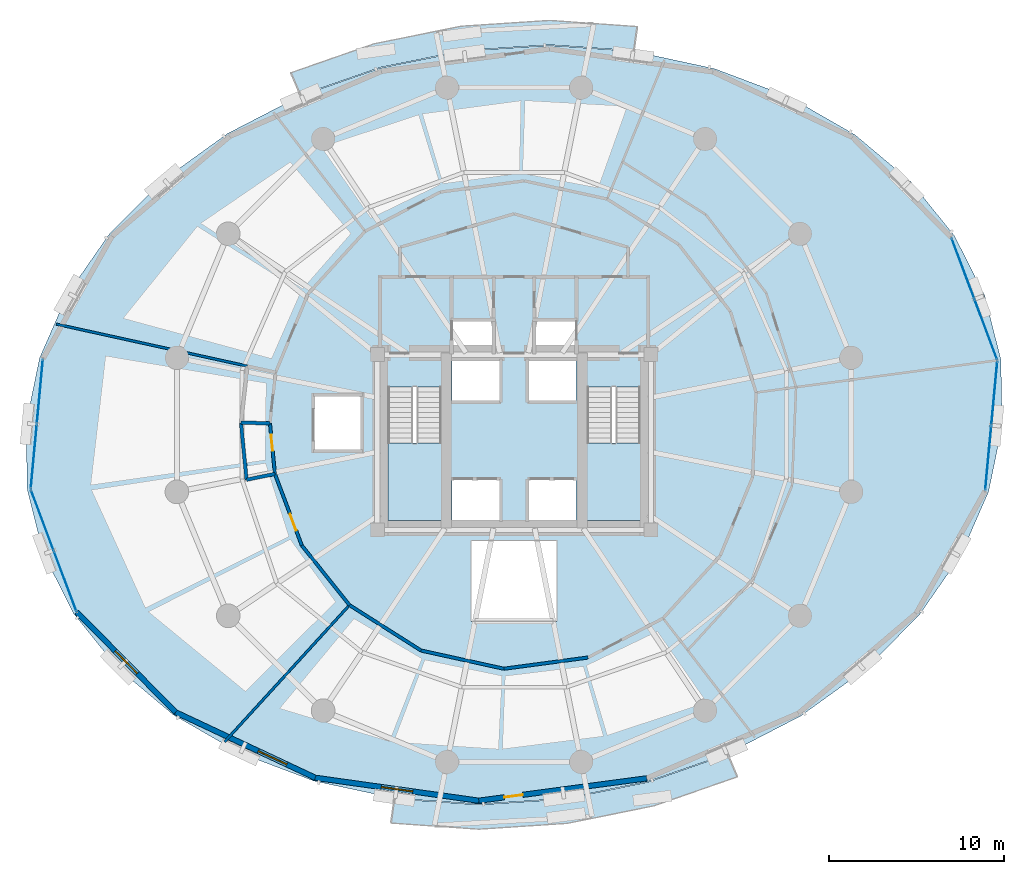
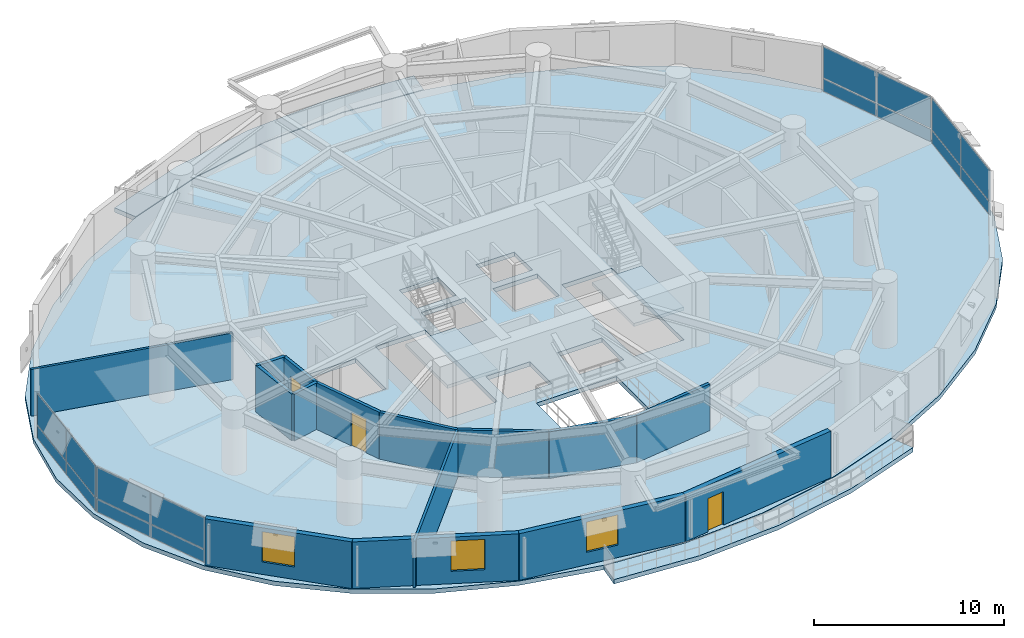
# One storey, part 11 of 17: 16 plates, 15 walls, 5 slabs, 3 doors, 3 windows, 6 openings, 6 elements without a shape of their own.
"""IFC4 building model written with IfcOpenShell, lengths in metres."""

from ifc_helpers import new_model, si_unit, direction, frame, frame_2d, origin, origin_2d, place, context, subcontext, project, spatial, polyline, rectangle, outline, extrude, material, layer, layer_set, type_object, element, fill, aggregate, save


model = new_model("IFC4")

# Units and contexts
model_context = context("Model", 3, precision=1e-05, world=origin(), true_north=direction((0.0, 1.0)))
body_context = subcontext(model_context, "Body", "Model", "MODEL_VIEW")
ifc_project = project(units=[si_unit("LENGTHUNIT", "METRE"), si_unit("AREAUNIT", "SQUARE_METRE"), si_unit("VOLUMEUNIT", "CUBIC_METRE"), si_unit("PLANEANGLEUNIT", "RADIAN"), si_unit("MASSUNIT", "GRAM", prefix="KILO"), si_unit("THERMODYNAMICTEMPERATUREUNIT", "KELVIN"), si_unit("POWERUNIT", "WATT")], contexts=[model_context])

# Site, building, storey
site_placement = place(None, origin())
site = spatial("IfcSite", under=ifc_project, at=site_placement, CompositionType="ELEMENT")
building_placement = place(site_placement, origin())
building = spatial("IfcBuilding", under=site, at=building_placement, Name="Ocrelia Relay Tower", CompositionType="ELEMENT")
storey_placement = place(building_placement, frame((0.0, 0.0, 63.60009765625)))
storey = spatial("IfcBuildingStorey", under=building, at=storey_placement, Name="L14", CompositionType="ELEMENT", Elevation=63.60009765625)

# Curtain wall, plates
ifc_material_1 = material(Name="Aluminium and solar-control low-E glass", Category="aluminium")
ifc_layer_1 = layer(ifc_material_1, 0.179931640625, Name="Aluminium and solar-control low-E glass")
ifc_layer_set_1 = layer_set([ifc_layer_1], Name="Aluminium and solar-control low-E glass")
curtain_wall_type = type_object("IfcCurtainWallType", Name="CW-SYS-Z1-DATA", PredefinedType="NOTDEFINED", material=ifc_layer_set_1)
curtain_wall_1_placement = place(storey_placement, origin())
curtain_wall_1 = element("IfcCurtainWall", 1, at=curtain_wall_1_placement, inside=storey, type_object=curtain_wall_type, Name="L14 Elliptical Tower Curtain Wall Bay 01", PredefinedType="NOTDEFINED")
ifc_material_2 = material(Name="Clear double-glazed low-E glass", Category="glass")
ifc_layer_2 = layer(ifc_material_2, 0.031982421875, Name="Clear double-glazed low-E glass")
ifc_layer_set_2 = layer_set([ifc_layer_2], Name="Clear double-glazed low-E glass")
plate_type = type_object("IfcPlateType", Name="CW-SYS-Z1-DATA-PNL", PredefinedType="CURTAIN_PANEL", material=ifc_layer_set_2)
plate_1_placement = place(storey_placement, frame((60.893310546875, 31.44287109375, 0.06494140625), z_axis=(0.0, 0.0, 1.0), x_axis=(-0.351189410055, 0.936304436743, 0.0)))
plate_1 = element("IfcPlate", 2, at=plate_1_placement, type_object=plate_type, Name="CW-Z1 panel 1.1", PredefinedType="CURTAIN_PANEL", context=body_context, shape_type="SweptSolid", body=[
    extrude(rectangle(XDim=3.6328125, YDim=0.031982421875, at=origin_2d()), origin(), (0.0, 0.0, 1.0), 0.802490234375),
])
plate_2_placement = place(storey_placement, frame((60.893310546875, 31.44287109375, 0.932373046875), z_axis=(0.0, 0.0, 1.0), x_axis=(-0.351189410055, 0.936304436743, 0.0)))
plate_2 = element("IfcPlate", 3, at=plate_2_placement, type_object=plate_type, Name="CW-Z1 panel 1.2", PredefinedType="CURTAIN_PANEL", context=body_context, shape_type="SweptSolid", body=[
    extrude(rectangle(XDim=3.6328125, YDim=0.031982421875, at=origin_2d()), origin(), (0.0, 0.0, 1.0), 2.00244140625),
])
plate_3_placement = place(storey_placement, frame((59.593017578125, 34.90966796875, 0.06494140625), z_axis=(0.0, 0.0, 1.0), x_axis=(-0.351189410055, 0.936304436743, 0.0)))
plate_3 = element("IfcPlate", 4, at=plate_3_placement, type_object=plate_type, Name="CW-Z1 panel 2.1", PredefinedType="CURTAIN_PANEL", context=body_context, shape_type="SweptSolid", body=[
    extrude(rectangle(XDim=3.6328125, YDim=0.031982421875, at=origin_2d()), origin(), (0.0, 0.0, 1.0), 0.802490234375),
])
plate_4_placement = place(storey_placement, frame((59.593017578125, 34.90966796875, 0.932373046875), z_axis=(0.0, 0.0, 1.0), x_axis=(-0.351189410055, 0.936304436743, 0.0)))
plate_4 = element("IfcPlate", 5, at=plate_4_placement, type_object=plate_type, Name="CW-Z1 panel 2.2", PredefinedType="CURTAIN_PANEL", context=body_context, shape_type="SweptSolid", body=[
    extrude(rectangle(XDim=3.6328125, YDim=0.031982421875, at=origin_2d()), origin(), (0.0, 0.0, 1.0), 2.00244140625),
])
aggregate(curtain_wall_1, [plate_1, plate_2, plate_3, plate_4])

curtain_wall_2_placement = place(storey_placement, origin())
curtain_wall_2 = element("IfcCurtainWall", 6, at=curtain_wall_2_placement, inside=storey, type_object=curtain_wall_type, Name="L14 Elliptical Tower Curtain Wall Bay 09", PredefinedType="NOTDEFINED")
plate_5_placement = place(storey_placement, frame((6.96630859375, 27.887939453125, 0.06494140625), z_axis=(0.0, 0.0, 1.0), x_axis=(-0.093413227811, -0.995627424728, 0.0)))
plate_5 = element("IfcPlate", 7, at=plate_5_placement, type_object=plate_type, Name="CW-Z1 panel 1.1", PredefinedType="CURTAIN_PANEL", context=body_context, shape_type="SweptSolid", body=[
    extrude(rectangle(XDim=3.6328125, YDim=0.031982421875, at=origin_2d()), origin(), (0.0, 0.0, 1.0), 0.802490234375),
])
plate_6_placement = place(storey_placement, frame((6.96630859375, 27.887939453125, 0.932373046875), z_axis=(0.0, 0.0, 1.0), x_axis=(-0.093413227811, -0.995627424728, 0.0)))
plate_6 = element("IfcPlate", 8, at=plate_6_placement, type_object=plate_type, Name="CW-Z1 panel 1.2", PredefinedType="CURTAIN_PANEL", context=body_context, shape_type="SweptSolid", body=[
    extrude(rectangle(XDim=3.6328125, YDim=0.031982421875, at=origin_2d()), origin(), (0.0, 0.0, 1.0), 2.00244140625),
])
plate_7_placement = place(storey_placement, frame((6.620361328125, 24.201416015625, 0.06494140625), z_axis=(0.0, 0.0, 1.0), x_axis=(-0.093413227811, -0.995627424728, 0.0)))
plate_7 = element("IfcPlate", 9, at=plate_7_placement, type_object=plate_type, Name="CW-Z1 panel 2.1", PredefinedType="CURTAIN_PANEL", context=body_context, shape_type="SweptSolid", body=[
    extrude(rectangle(XDim=3.6328125, YDim=0.031982421875, at=origin_2d()), origin(), (0.0, 0.0, 1.0), 0.802490234375),
])
plate_8_placement = place(storey_placement, frame((6.620361328125, 24.201416015625, 0.932373046875), z_axis=(0.0, 0.0, 1.0), x_axis=(-0.093413227811, -0.995627424728, 0.0)))
plate_8 = element("IfcPlate", 10, at=plate_8_placement, type_object=plate_type, Name="CW-Z1 panel 2.2", PredefinedType="CURTAIN_PANEL", context=body_context, shape_type="SweptSolid", body=[
    extrude(rectangle(XDim=3.6328125, YDim=0.031982421875, at=origin_2d()), origin(), (0.0, 0.0, 1.0), 2.00244140625),
])
aggregate(curtain_wall_2, [plate_5, plate_6, plate_7, plate_8])

curtain_wall_3_placement = place(storey_placement, origin())
curtain_wall_3 = element("IfcCurtainWall", 11, at=curtain_wall_3_placement, inside=storey, type_object=curtain_wall_type, Name="L14 Elliptical Tower Curtain Wall Bay 10", PredefinedType="NOTDEFINED")
plate_9_placement = place(storey_placement, frame((7.106689453125, 20.55712890625, 0.06494140625), z_axis=(0.0, 0.0, 1.0), x_axis=(0.351189410055, -0.936304436743, 0.0)))
plate_9 = element("IfcPlate", 12, at=plate_9_placement, type_object=plate_type, Name="CW-Z1 panel 1.1", PredefinedType="CURTAIN_PANEL", context=body_context, shape_type="SweptSolid", body=[
    extrude(rectangle(XDim=3.6328125, YDim=0.031982421875, at=origin_2d()), origin(), (0.0, 0.0, 1.0), 0.802490234375),
])
plate_10_placement = place(storey_placement, frame((7.106689453125, 20.55712890625, 0.932373046875), z_axis=(0.0, 0.0, 1.0), x_axis=(0.351189410055, -0.936304436743, 0.0)))
plate_10 = element("IfcPlate", 13, at=plate_10_placement, type_object=plate_type, Name="CW-Z1 panel 1.2", PredefinedType="CURTAIN_PANEL", context=body_context, shape_type="SweptSolid", body=[
    extrude(rectangle(XDim=3.6328125, YDim=0.031982421875, at=origin_2d()), origin(), (0.0, 0.0, 1.0), 2.00244140625),
])
plate_11_placement = place(storey_placement, frame((8.406982421875, 17.09033203125, 0.06494140625), z_axis=(0.0, 0.0, 1.0), x_axis=(0.351189410055, -0.936304436743, 0.0)))
plate_11 = element("IfcPlate", 14, at=plate_11_placement, type_object=plate_type, Name="CW-Z1 panel 2.1", PredefinedType="CURTAIN_PANEL", context=body_context, shape_type="SweptSolid", body=[
    extrude(rectangle(XDim=3.6328125, YDim=0.031982421875, at=origin_2d()), origin(), (0.0, 0.0, 1.0), 0.802490234375),
])
plate_12_placement = place(storey_placement, frame((8.406982421875, 17.09033203125, 0.932373046875), z_axis=(0.0, 0.0, 1.0), x_axis=(0.351189410055, -0.936304436743, 0.0)))
plate_12 = element("IfcPlate", 15, at=plate_12_placement, type_object=plate_type, Name="CW-Z1 panel 2.2", PredefinedType="CURTAIN_PANEL", context=body_context, shape_type="SweptSolid", body=[
    extrude(rectangle(XDim=3.6328125, YDim=0.031982421875, at=origin_2d()), origin(), (0.0, 0.0, 1.0), 2.00244140625),
])
aggregate(curtain_wall_3, [plate_9, plate_10, plate_11, plate_12])

curtain_wall_4_placement = place(storey_placement, origin())
curtain_wall_4 = element("IfcCurtainWall", 16, at=curtain_wall_4_placement, inside=storey, type_object=curtain_wall_type, Name="L14 Elliptical Tower Curtain Wall Bay 18", PredefinedType="NOTDEFINED")
plate_13_placement = place(storey_placement, frame((61.03369140625, 24.112060546875, 0.06494140625), z_axis=(0.0, 0.0, 1.0), x_axis=(0.093413227811, 0.995627424728, 0.0)))
plate_13 = element("IfcPlate", 17, at=plate_13_placement, type_object=plate_type, Name="CW-Z1 panel 1.1", PredefinedType="CURTAIN_PANEL", context=body_context, shape_type="SweptSolid", body=[
    extrude(rectangle(XDim=3.6328125, YDim=0.031982421875, at=origin_2d()), origin(), (0.0, 0.0, 1.0), 0.802490234375),
])
plate_14_placement = place(storey_placement, frame((61.03369140625, 24.112060546875, 0.932373046875), z_axis=(0.0, 0.0, 1.0), x_axis=(0.093413227811, 0.995627424728, 0.0)))
plate_14 = element("IfcPlate", 18, at=plate_14_placement, type_object=plate_type, Name="CW-Z1 panel 1.2", PredefinedType="CURTAIN_PANEL", context=body_context, shape_type="SweptSolid", body=[
    extrude(rectangle(XDim=3.6328125, YDim=0.031982421875, at=origin_2d()), origin(), (0.0, 0.0, 1.0), 2.00244140625),
])
plate_15_placement = place(storey_placement, frame((61.379638671875, 27.798583984375, 0.06494140625), z_axis=(0.0, 0.0, 1.0), x_axis=(0.093413227811, 0.995627424728, 0.0)))
plate_15 = element("IfcPlate", 19, at=plate_15_placement, type_object=plate_type, Name="CW-Z1 panel 2.1", PredefinedType="CURTAIN_PANEL", context=body_context, shape_type="SweptSolid", body=[
    extrude(rectangle(XDim=3.6328125, YDim=0.031982421875, at=origin_2d()), origin(), (0.0, 0.0, 1.0), 0.802490234375),
])
plate_16_placement = place(storey_placement, frame((61.379638671875, 27.798583984375, 0.932373046875), z_axis=(0.0, 0.0, 1.0), x_axis=(0.093413227811, 0.995627424728, 0.0)))
plate_16 = element("IfcPlate", 20, at=plate_16_placement, type_object=plate_type, Name="CW-Z1 panel 2.2", PredefinedType="CURTAIN_PANEL", context=body_context, shape_type="SweptSolid", body=[
    extrude(rectangle(XDim=3.6328125, YDim=0.031982421875, at=origin_2d()), origin(), (0.0, 0.0, 1.0), 2.00244140625),
])
aggregate(curtain_wall_4, [plate_13, plate_14, plate_15, plate_16])

# Slabs
ifc_material_3 = material(Name="Precast concrete C40/50", Category="concrete")
ifc_layer_3 = layer(ifc_material_3, 0.280029296875, Name="Precast concrete C40/50")
ifc_layer_set_3 = layer_set([ifc_layer_3], Name="Precast concrete C40/50")
slab_type_1 = type_object("IfcSlabType", Name="SL-BALC-280", PredefinedType="FLOOR", material=ifc_layer_set_3)
slab_1_placement = place(storey_placement, frame((0.0, 0.0, -0.280029296875)))
element("IfcSlab", 21, at=slab_1_placement, inside=storey, type_object=slab_type_1, Name="L14 Planted Loggia Balcony B1", PredefinedType="FLOOR", context=body_context, shape_type="SweptSolid", body=[
    extrude(outline(polyline([(40.82470703125, 47.322265625), (38.421875, 47.491455078125), (36.019287109375, 47.660400390625), (31.152587890625, 47.3408203125), (26.372314453125, 46.373291015625), (24.097900390625, 45.580078125), (21.823486328125, 44.787109375), (21.273193359375, 46.067138671875), (23.638427734375, 46.89208984375), (26.00390625, 47.716796875), (30.96826171875, 48.7216796875), (36.0224609375, 49.0537109375), (38.521240234375, 48.877685546875), (41.02001953125, 48.701904296875), (40.82470703125, 47.322265625)])), origin(), (0.0, 0.0, 1.0), 0.280029296875),
])
slab_2_placement = place(storey_placement, frame((0.0, 0.0, -0.280029296875)))
element("IfcSlab", 22, at=slab_2_placement, inside=storey, type_object=slab_type_1, Name="L14 Planted Loggia Balcony B2", PredefinedType="FLOOR", context=body_context, shape_type="SweptSolid", body=[
    extrude(outline(polyline([(27.17529296875, 4.677734375), (29.578125, 4.508544921875), (31.980712890625, 4.339599609375), (36.847412109375, 4.6591796875), (41.627685546875, 5.626708984375), (43.902099609375, 6.419921875), (46.176513671875, 7.212890625), (46.726806640625, 5.932861328125), (44.361572265625, 5.10791015625), (41.99609375, 4.283203125), (37.03173828125, 3.2783203125), (31.9775390625, 2.9462890625), (29.478759765625, 3.1220703125), (26.97998046875, 3.298095703125), (27.17529296875, 4.677734375)])), origin(), (0.0, 0.0, 1.0), 0.280029296875),
])
ifc_material_4 = material(Name="Concrete C50/60", Category="concrete")
ifc_layer_4 = layer(ifc_material_4, 0.280029296875, Name="Concrete C50/60")
ifc_layer_set_4 = layer_set([ifc_layer_4], Name="Concrete C50/60")
slab_type_2 = type_object("IfcSlabType", Name="SL-FLR-280", PredefinedType="FLOOR", material=ifc_layer_set_4)
slab_3_placement = place(storey_placement, frame((0.0, 0.0, -0.280029296875)))
element("IfcSlab", 23, at=slab_3_placement, inside=storey, type_object=slab_type_2, Name="L14 Elliptical Tower Floor Slab", PredefinedType="FLOOR", context=body_context, shape_type="SweptSolid", body=[
    extrude(outline(polyline([(61.75390625, 29.703125), (60.838623046875, 33.34765625), (59.107666015625, 36.768798828125), (56.614013671875, 39.862548828125), (53.43310546875, 42.535400390625), (49.66162109375, 44.70556640625), (45.41455078125, 46.3076171875), (40.8203125, 47.29248046875), (36.01904296875, 47.63037109375), (31.156494140625, 47.31103515625), (26.380126953125, 46.34423828125), (21.83544921875, 44.759521484375), (17.660400390625, 42.6044921875), (13.981689453125, 39.94482421875), (10.911376953125, 36.86181640625), (8.54248046875, 33.448486328125), (6.947265625, 29.80908203125), (6.173828125, 26.0537109375), (6.24609375, 22.296875), (7.161376953125, 18.65234375), (8.892333984375, 15.231201171875), (11.385986328125, 12.137451171875), (14.56689453125, 9.464599609375), (18.33837890625, 7.29443359375), (22.58544921875, 5.6923828125), (27.1796875, 4.70751953125), (31.98095703125, 4.36962890625), (36.843505859375, 4.68896484375), (41.619873046875, 5.65576171875), (46.16455078125, 7.240478515625), (50.339599609375, 9.3955078125), (54.018310546875, 12.05517578125), (57.088623046875, 15.13818359375), (59.45751953125, 18.551513671875), (61.052734375, 22.19091796875), (61.826171875, 25.9462890625), (61.75390625, 29.703125)]), holes=[polyline([(26.81005859375, 28.14990234375), (26.81005859375, 20.550048828125), (29.85009765625, 20.550048828125), (29.85009765625, 28.14990234375), (26.81005859375, 28.14990234375)]), polyline([(38.159912109375, 28.14990234375), (38.159912109375, 20.550048828125), (41.199951171875, 20.550048828125), (41.199951171875, 28.14990234375), (38.159912109375, 28.14990234375)]), polyline([(30.4599609375, 20.550048828125), (33.159912109375, 20.550048828125), (33.159912109375, 22.85009765625), (30.4599609375, 22.85009765625), (30.4599609375, 20.550048828125)]), polyline([(34.840087890625, 20.550048828125), (37.5400390625, 20.550048828125), (37.5400390625, 22.85009765625), (34.840087890625, 22.85009765625), (34.840087890625, 20.550048828125)]), polyline([(30.4599609375, 27.35009765625), (33.159912109375, 27.35009765625), (33.159912109375, 29.64990234375), (30.4599609375, 29.64990234375), (30.4599609375, 27.35009765625)]), polyline([(34.840087890625, 27.35009765625), (37.5400390625, 27.35009765625), (37.5400390625, 29.64990234375), (34.840087890625, 29.64990234375), (34.840087890625, 27.35009765625)]), polyline([(30.5, 30.10009765625), (32.85009765625, 30.10009765625), (32.85009765625, 32.0), (30.5, 32.0), (30.5, 30.10009765625)]), polyline([(35.14990234375, 30.10009765625), (37.5, 30.10009765625), (37.5, 32.0), (35.14990234375, 32.0), (35.14990234375, 30.10009765625)]), polyline([(22.550048828125, 24.5), (25.35009765625, 24.5), (25.35009765625, 27.699951171875), (22.550048828125, 27.699951171875), (22.550048828125, 24.5)]), polyline([(31.550048828125, 14.800048828125), (36.449951171875, 14.800048828125), (36.449951171875, 19.39990234375), (31.550048828125, 19.39990234375), (31.550048828125, 14.800048828125)])]), origin(), (0.0, 0.0, 1.0), 0.280029296875),
])

# Stair, slab
stair_type = type_object("IfcStairType", Name="ST-DL-1420-R175", PredefinedType="HALF_TURN_STAIR", material=ifc_material_4)
stair_1_placement = place(storey_placement, origin())
stair_1 = element("IfcStair", 24, at=stair_1_placement, inside=storey, type_object=stair_type, Name="L14 West Core Exit Stair ST1", PredefinedType="HALF_TURN_STAIR")
ifc_layer_5 = layer(ifc_material_4, 0.199951171875, Name="Concrete C50/60")
ifc_layer_set_5 = layer_set([ifc_layer_5], Name="Concrete C50/60")
slab_type_3 = type_object("IfcSlabType", Name="SL-LANDING-200", PredefinedType="LANDING", material=ifc_layer_set_5)
slab_4_placement = place(storey_placement, frame((0.0, 0.0, 1.89990234375)))
slab_4 = element("IfcSlab", 25, at=slab_4_placement, type_object=slab_type_3, Name="ST1 landing 1", PredefinedType="LANDING", context=body_context, shape_type="SweptSolid", body=[
    extrude(outline(polyline([(26.81005859375, 24.9599609375), (26.81005859375, 20.550048828125), (29.85009765625, 20.550048828125), (29.85009765625, 24.9599609375), (26.81005859375, 24.9599609375)])), origin(), (0.0, 0.0, 1.0), 0.199951171875),
])
aggregate(stair_1, [slab_4])

stair_2_placement = place(storey_placement, origin())
stair_2 = element("IfcStair", 26, at=stair_2_placement, inside=storey, type_object=stair_type, Name="L14 East Core Exit Stair ST2", PredefinedType="HALF_TURN_STAIR")
slab_5_placement = place(storey_placement, frame((0.0, 0.0, 1.89990234375)))
slab_5 = element("IfcSlab", 27, at=slab_5_placement, type_object=slab_type_3, Name="ST2 landing 1", PredefinedType="LANDING", context=body_context, shape_type="SweptSolid", body=[
    extrude(outline(polyline([(38.159912109375, 24.9599609375), (38.159912109375, 20.550048828125), (41.199951171875, 20.550048828125), (41.199951171875, 24.9599609375), (38.159912109375, 24.9599609375)])), origin(), (0.0, 0.0, 1.0), 0.199951171875),
])
aggregate(stair_2, [slab_5])

# Wall, opening, door
ifc_material_5 = material(Name="Gypsum Fireboard Partition EI60", Category="gypsum")
ifc_layer_6 = layer(ifc_material_5, 0.179931640625, Name="Gypsum Fireboard Partition EI60")
ifc_layer_set_6 = layer_set([ifc_layer_6], Name="Gypsum Fireboard Partition EI60")
wall_type_1 = type_object("IfcWallType", Name="W-CORR-EI60-180", PredefinedType="PARTITIONING", material=ifc_layer_set_6)
wall_1_placement = place(storey_placement, frame((20.080322265625, 26.09716796875, 0.0), z_axis=(0.0, 0.0, 1.0), x_axis=(0.09756816541, -0.995228844587, 0.0)))
wall_1 = element("IfcWall", 28, at=wall_1_placement, inside=storey, type_object=wall_type_1, Name="L14 Accessible Toilet Corridor Wall", PredefinedType="PARTITIONING", context=body_context, shape_type="SweptSolid", body=[
    extrude(rectangle(XDim=2.91015625, YDim=0.179931640625, at=frame_2d((1.455078125, 0.0))), origin(), (0.0, 0.0, 1.0), 3.0),
])
opening_1_placement = place(wall_1_placement, frame((0.6689453125, 0.0, 0.0)))
opening_1 = element("IfcOpeningElement", 29, at=opening_1_placement, cuts=wall_1, Name="Opening D-WC92", PredefinedType="OPENING", context=body_context, shape_type="SweptSolid", body=[
    extrude(rectangle(XDim=0.919921875, YDim=2.10009765625, at=frame_2d((0.4599609375, 1.050048828125))), frame((0.0, 0.10009765625, 0.0), z_axis=(0.0, -1.0, 0.0), x_axis=(1.0, 0.0, 0.0)), (0.0, 0.0, 1.0), 0.199951171875),
])
ifc_material_6 = material(Name="Laminate washroom door", Category="wood")
door_type_1 = type_object("IfcDoorType", Name="DR-WC-920", OperationType="NOTDEFINED", PredefinedType="DOOR", material=ifc_material_6)
door_1_placement = place(opening_1_placement, origin())
door_1 = element("IfcDoor", 30, at=door_1_placement, inside=storey, type_object=door_type_1, Name="L14 Accessible Toilet Door", OperationType="SINGLE_SWING_LEFT", OverallHeight=2.10009765625, OverallWidth=0.919921875, PredefinedType="DOOR", context=body_context, shape_type="SweptSolid", body=[
    extrude(rectangle(XDim=0.919921875, YDim=2.10009765625, at=frame_2d((0.4599609375, 1.050048828125))), frame((0.0, 0.02490234375, 0.0), z_axis=(0.0, -1.0, 0.0), x_axis=(1.0, 0.0, 0.0)), (0.0, 0.0, 1.0), 0.050048828125),
])
fill(opening_1, door_1)

wall_2_placement = place(storey_placement, frame((20.3642578125, 23.200927734375, 0.0), z_axis=(0.0, 0.0, 1.0), x_axis=(0.351823691742, -0.936066285008, 0.0)))
wall_2 = element("IfcWall", 31, at=wall_2_placement, inside=storey, type_object=wall_type_1, Name="L14 Technical Reference Library Corridor Partition 1", PredefinedType="PARTITIONING", context=body_context, shape_type="SweptSolid", body=[
    extrude(rectangle(XDim=4.35498046875, YDim=0.179931640625, at=frame_2d((2.177490234375, 0.0))), origin(), (0.0, 0.0, 1.0), 3.0),
])
opening_2_placement = place(wall_2_placement, frame((2.44140625, 0.0, 0.0)))
opening_2 = element("IfcOpeningElement", 32, at=opening_2_placement, cuts=wall_2, Name="Opening D-RM100", PredefinedType="OPENING", context=body_context, shape_type="SweptSolid", body=[
    extrude(rectangle(XDim=1.0, YDim=2.14990234375, at=frame_2d((0.5, 1.074951171875))), frame((0.0, 0.10009765625, 0.0), z_axis=(0.0, -1.0, 0.0), x_axis=(1.0, 0.0, 0.0)), (0.0, 0.0, 1.0), 0.199951171875),
])
ifc_material_7 = material(Name="Acoustic oak veneer fire door", Category="wood")
door_type_2 = type_object("IfcDoorType", Name="DR-ROOM-FD60-1000", OperationType="NOTDEFINED", PredefinedType="DOOR", material=ifc_material_7)
door_2_placement = place(opening_2_placement, origin())
door_2 = element("IfcDoor", 33, at=door_2_placement, inside=storey, type_object=door_type_2, Name="L14 Technical Reference Library Entrance Door", OperationType="SINGLE_SWING_RIGHT", OverallHeight=2.14990234375, OverallWidth=1.0, PredefinedType="DOOR", context=body_context, shape_type="SweptSolid", body=[
    extrude(rectangle(XDim=1.0, YDim=2.14990234375, at=frame_2d((0.5, 1.074951171875))), frame((0.0, 0.02490234375, 0.0), z_axis=(0.0, -1.0, 0.0), x_axis=(1.0, 0.0, 0.0)), (0.0, 0.0, 1.0), 0.050048828125),
])
fill(opening_2, door_2)

# Walls
wall_3_placement = place(storey_placement, frame((21.896484375, 19.124267578125, 0.0), z_axis=(0.0, 0.0, 1.0), x_axis=(0.623915406168, -0.781491884761, 0.0)))
element("IfcWall", 34, at=wall_3_placement, inside=storey, type_object=wall_type_1, Name="L14 Technical Reference Library Corridor Partition 2", PredefinedType="PARTITIONING", context=body_context, shape_type="SweptSolid", body=[
    extrude(rectangle(XDim=4.355224609375, YDim=0.179931640625, at=frame_2d((2.177734375, 0.0))), origin(), (0.0, 0.0, 1.0), 3.0),
])
for number, where, z_axis, x_axis, name in (
    (35, (24.61376953125, 15.720703125, 0.0), (0.0, 0.0, 1.0), (0.844332495787, -0.535819593295, 0.0), "L14 Colocation Data Hall A Corridor Partition 1"),
    (36, (28.695556640625, 13.13037109375, 0.0), (0.0, 0.0, 1.0), (0.97667180078, -0.214737499194, 0.0), "L14 Colocation Data Hall A Corridor Partition 2"),
):
    element("IfcWall", number, at=place(storey_placement, frame(where, z_axis=z_axis, x_axis=x_axis)), inside=storey, type_object=wall_type_1, Name=name, PredefinedType="PARTITIONING", context=body_context, shape_type="SweptSolid", body=[
        extrude(rectangle(XDim=4.834228515625, YDim=0.179931640625, at=frame_2d((2.4169921875, 0.0))), origin(), (0.0, 0.0, 1.0), 3.0),
    ])
wall_4_placement = place(storey_placement, frame((33.4169921875, 12.09228515625, 0.0), z_axis=(0.0, 0.0, 1.0), x_axis=(0.991215105634, 0.132259647527, 0.0)))
element("IfcWall", 37, at=wall_4_placement, inside=storey, type_object=wall_type_1, Name="L14 Colocation Data Hall A Corridor Partition 3", PredefinedType="PARTITIONING", context=body_context, shape_type="SweptSolid", body=[
    extrude(rectangle(XDim=4.83447265625, YDim=0.179931640625, at=frame_2d((2.417236328125, 0.0))), origin(), (0.0, 0.0, 1.0), 3.0),
])

# Wall, opening, window
ifc_material_8 = material(Name="Precast concrete C40/50 with oxide terracotta", Category="masonry")
ifc_layer_7 = layer(ifc_material_8, 0.300048828125, Name="Precast concrete C40/50 with oxide terracotta")
ifc_layer_set_7 = layer_set([ifc_layer_7], Name="Precast concrete C40/50 with oxide terracotta")
wall_type_2 = type_object("IfcWallType", Name="W-EXT-TERR-300", PredefinedType="SOLIDWALL", material=ifc_layer_set_7)
wall_5_placement = place(storey_placement, frame((9.069580078125, 15.323974609375, 0.0), z_axis=(0.0, 0.0, 1.0), x_axis=(0.702143738973, -0.712035230744, 0.0)))
wall_5 = element("IfcWall", 38, at=wall_5_placement, inside=storey, type_object=wall_type_2, Name="L14 Oxide Terracotta Facade Wall 11", PredefinedType="SOLIDWALL", context=body_context, shape_type="SweptSolid", body=[
    extrude(rectangle(XDim=8.021728515625, YDim=0.300048828125, at=frame_2d((4.0107421875, 0.0))), origin(), (0.0, 0.0, 1.0), 3.0),
])
opening_3_placement = place(wall_5_placement, frame((3.111083984375, 0.0, 0.800048828125)))
opening_3 = element("IfcOpeningElement", 39, at=opening_3_placement, cuts=wall_5, Name="Opening W-02", PredefinedType="OPENING", context=body_context, shape_type="SweptSolid", body=[
    extrude(rectangle(XDim=1.800048828125, YDim=1.949951171875, at=frame_2d((0.89990234375, 0.97509765625))), frame((0.0, 0.16015625, 0.0), z_axis=(0.0, -1.0, 0.0), x_axis=(1.0, 0.0, 0.0)), (0.0, 0.0, 1.0), 0.320068359375),
])
window_type = type_object("IfcWindowType", Name="WIN-Z1-1800x2100", PartitioningType="DOUBLE_PANEL_VERTICAL", PredefinedType="WINDOW", material=ifc_material_2)
window_1_placement = place(opening_3_placement, origin())
window_1 = element("IfcWindow", 40, at=window_1_placement, inside=storey, type_object=window_type, Name="L14 Facade Module Window 11", OverallHeight=1.949951171875, OverallWidth=1.800048828125, PartitioningType="SINGLE_PANEL", PredefinedType="WINDOW", context=body_context, shape_type="SweptSolid", body=[
    extrude(rectangle(XDim=1.800048828125, YDim=1.949951171875, at=frame_2d((0.89990234375, 0.97509765625))), frame((0.0, 0.030029296875, 0.0), z_axis=(0.0, -1.0, 0.0), x_axis=(1.0, 0.0, 0.0)), (0.0, 0.0, 1.0), 0.06005859375),
])
fill(opening_3, window_1)

wall_6_placement = place(storey_placement, frame((14.701904296875, 9.6123046875, 0.0), z_axis=(0.0, 0.0, 1.0), x_axis=(0.905289465516, -0.424795225522, 0.0)))
wall_6 = element("IfcWall", 41, at=wall_6_placement, inside=storey, type_object=wall_type_2, Name="L14 Oxide Terracotta Facade Wall 12", PredefinedType="SOLIDWALL", context=body_context, shape_type="SweptSolid", body=[
    extrude(rectangle(XDim=8.792724609375, YDim=0.300048828125, at=frame_2d((4.396484375, 0.0))), origin(), (0.0, 0.0, 1.0), 3.0),
])
opening_4_placement = place(wall_6_placement, frame((5.201904296875, 0.0, 0.800048828125)))
opening_4 = element("IfcOpeningElement", 42, at=opening_4_placement, cuts=wall_6, Name="Opening W-02", PredefinedType="OPENING", context=body_context, shape_type="SweptSolid", body=[
    extrude(rectangle(XDim=1.800048828125, YDim=1.949951171875, at=frame_2d((0.89990234375, 0.97509765625))), frame((0.0, 0.16015625, 0.0), z_axis=(0.0, -1.0, 0.0), x_axis=(1.0, 0.0, 0.0)), (0.0, 0.0, 1.0), 0.320068359375),
])
window_2_placement = place(opening_4_placement, origin())
window_2 = element("IfcWindow", 43, at=window_2_placement, inside=storey, type_object=window_type, Name="L14 Facade Module Window 12", OverallHeight=1.949951171875, OverallWidth=1.800048828125, PartitioningType="SINGLE_PANEL", PredefinedType="WINDOW", context=body_context, shape_type="SweptSolid", body=[
    extrude(rectangle(XDim=1.800048828125, YDim=1.949951171875, at=frame_2d((0.89990234375, 0.97509765625))), frame((0.0, 0.030029296875, 0.0), z_axis=(0.0, -1.0, 0.0), x_axis=(1.0, 0.0, 0.0)), (0.0, 0.0, 1.0), 0.06005859375),
])
fill(opening_4, window_2)

wall_7_placement = place(storey_placement, frame((22.661865234375, 5.877197265625, 0.0), z_axis=(0.0, 0.0, 1.0), x_axis=(0.990312182989, -0.138858850001, 0.0)))
wall_7 = element("IfcWall", 44, at=wall_7_placement, inside=storey, type_object=wall_type_2, Name="L14 Oxide Terracotta Facade Wall 13", PredefinedType="SOLIDWALL", context=body_context, shape_type="SweptSolid", body=[
    extrude(rectangle(XDim=9.418701171875, YDim=0.300048828125, at=frame_2d((4.70947265625, 0.0))), origin(), (0.0, 0.0, 1.0), 3.0),
])
opening_5_placement = place(wall_7_placement, frame((3.80908203125, 0.0, 0.800048828125)))
opening_5 = element("IfcOpeningElement", 45, at=opening_5_placement, cuts=wall_7, Name="Opening W-02", PredefinedType="OPENING", context=body_context, shape_type="SweptSolid", body=[
    extrude(rectangle(XDim=1.800048828125, YDim=1.949951171875, at=frame_2d((0.89990234375, 0.97509765625))), frame((0.0, 0.16015625, 0.0), z_axis=(0.0, -1.0, 0.0), x_axis=(1.0, 0.0, 0.0)), (0.0, 0.0, 1.0), 0.320068359375),
])
window_3_placement = place(opening_5_placement, origin())
window_3 = element("IfcWindow", 46, at=window_3_placement, inside=storey, type_object=window_type, Name="L14 Facade Module Window 13", OverallHeight=1.949951171875, OverallWidth=1.800048828125, PartitioningType="SINGLE_PANEL", PredefinedType="WINDOW", context=body_context, shape_type="SweptSolid", body=[
    extrude(rectangle(XDim=1.800048828125, YDim=1.949951171875, at=frame_2d((0.89990234375, 0.97509765625))), frame((0.0, 0.030029296875, 0.0), z_axis=(0.0, -1.0, 0.0), x_axis=(1.0, 0.0, 0.0)), (0.0, 0.0, 1.0), 0.06005859375),
])
fill(opening_5, window_3)

# Wall, opening, door
wall_8_placement = place(storey_placement, frame((31.9892578125, 4.5693359375, 0.0), z_axis=(0.0, 0.0, 1.0), x_axis=(0.991216412989, 0.132249849229, 0.0)))
wall_8 = element("IfcWall", 47, at=wall_8_placement, inside=storey, type_object=wall_type_2, Name="L14 Oxide Terracotta Facade Wall 14", PredefinedType="SOLIDWALL", context=body_context, shape_type="SweptSolid", body=[
    extrude(rectangle(XDim=9.65478515625, YDim=0.300048828125, at=frame_2d((4.827392578125, 0.0))), origin(), (0.0, 0.0, 1.0), 3.0),
])
opening_6_placement = place(wall_8_placement, frame((1.469970703125, 0.0, 0.0)))
opening_6 = element("IfcOpeningElement", 48, at=opening_6_placement, cuts=wall_8, Name="Opening DB-105", PredefinedType="OPENING", context=body_context, shape_type="SweptSolid", body=[
    extrude(rectangle(XDim=1.050048828125, YDim=2.14990234375, at=frame_2d((0.52490234375, 1.074951171875))), frame((0.0, 0.16015625, 0.0), z_axis=(0.0, -1.0, 0.0), x_axis=(1.0, 0.0, 0.0)), (0.0, 0.0, 1.0), 0.320068359375),
])
ifc_material_9 = material(Name="Thermally broken aluminium and clear glass", Category="aluminium")
door_type_3 = type_object("IfcDoorType", Name="DR-BALC-1050", OperationType="NOTDEFINED", PredefinedType="DOOR", material=ifc_material_9)
door_3_placement = place(opening_6_placement, origin())
door_3 = element("IfcDoor", 49, at=door_3_placement, inside=storey, type_object=door_type_3, Name="L14 Planted Loggia Balcony Door B2", OperationType="SINGLE_SWING_LEFT", OverallHeight=2.14990234375, OverallWidth=1.050048828125, PredefinedType="DOOR", context=body_context, shape_type="SweptSolid", body=[
    extrude(rectangle(XDim=1.050048828125, YDim=2.14990234375, at=frame_2d((0.52490234375, 1.074951171875))), frame((0.0, 0.02490234375, 0.0), z_axis=(0.0, -1.0, 0.0), x_axis=(1.0, 0.0, 0.0)), (0.0, 0.0, 1.0), 0.050048828125),
])
fill(opening_6, door_3)

# Walls
ifc_material_10 = material(Name="Acoustic Fireboard Partition EI60", Category="gypsum")
ifc_layer_8 = layer(ifc_material_10, 0.139892578125, Name="Acoustic Fireboard Partition EI60")
ifc_layer_set_8 = layer_set([ifc_layer_8], Name="Acoustic Fireboard Partition EI60")
wall_type_3 = type_object("IfcWallType", Name="W-PART-140", PredefinedType="PARTITIONING", material=ifc_layer_set_8)
wall_9_placement = place(storey_placement, frame((18.793212890625, 29.343505859375, 0.0), z_axis=(0.0, 0.0, 1.0), x_axis=(-0.976672388843, 0.214734824543, 0.0)))
element("IfcWall", 50, at=wall_9_placement, inside=storey, type_object=wall_type_3, Name="L14 Technical Reference Library Radial Partition", PredefinedType="PARTITIONING", context=body_context, shape_type="SweptSolid", body=[
    extrude(rectangle(XDim=11.15234375, YDim=0.139892578125, at=frame_2d((5.576171875, 0.0))), origin(), (0.0, 0.0, 1.0), 3.0),
])
wall_10_placement = place(storey_placement, frame((24.61376953125, 15.720703125, 0.0), z_axis=(0.0, 0.0, 1.0), x_axis=(-0.67430667382, -0.738451426731, 0.0)))
element("IfcWall", 51, at=wall_10_placement, inside=storey, type_object=wall_type_3, Name="L14 Technical Reference Library Radial Partition", PredefinedType="PARTITIONING", context=body_context, shape_type="SweptSolid", body=[
    extrude(rectangle(XDim=10.550537109375, YDim=0.139892578125, at=frame_2d((5.275390625, 0.0))), origin(), (0.0, 0.0, 1.0), 3.0),
])
ifc_material_11 = material(Name="Moisture-Resistant Fireboard Chase Wall EI60", Category="gypsum")
ifc_layer_9 = layer(ifc_material_11, 0.199951171875, Name="Moisture-Resistant Fireboard Chase Wall EI60")
ifc_layer_set_9 = layer_set([ifc_layer_9], Name="Moisture-Resistant Fireboard Chase Wall EI60")
wall_type_4 = type_object("IfcWallType", Name="W-PLUMB-200", PredefinedType="PLUMBINGWALL", material=ifc_layer_set_9)
for number, where, z_axis, x_axis, name in (
    (52, (20.080322265625, 26.09716796875, 0.0), (0.0, 0.0, 1.0), (-0.99997581681, 0.006954552144, 0.0), "L14 Staff Toilet Plumbing Radial Wall"),
    (53, (20.3642578125, 23.200927734375, 0.0), (0.0, 0.0, 1.0), (-0.979572068013, -0.201093420004, 0.0), "L14 Accessible Toilet Plumbing Radial Wall"),
):
    element("IfcWall", number, at=place(storey_placement, frame(where, z_axis=z_axis, x_axis=x_axis)), inside=storey, type_object=wall_type_4, Name=name, PredefinedType="PLUMBINGWALL", context=body_context, shape_type="SweptSolid", body=[
        extrude(rectangle(XDim=1.64990234375, YDim=0.199951171875, at=frame_2d((0.824951171875, 0.0))), origin(), (0.0, 0.0, 1.0), 3.0),
    ])
wall_11_placement = place(storey_placement, frame((18.430419921875, 26.108642578125, 0.0), z_axis=(0.0, 0.0, 1.0), x_axis=(0.097580164018, -0.99522766822, 0.0)))
element("IfcWall", 54, at=wall_11_placement, inside=storey, type_object=wall_type_4, Name="L14 Accessible Toilet Back Plumbing Wall", PredefinedType="PLUMBINGWALL", context=body_context, shape_type="SweptSolid", body=[
    extrude(rectangle(XDim=3.255126953125, YDim=0.199951171875, at=frame_2d((1.62744140625, 0.0))), origin(), (0.0, 0.0, 1.0), 3.0),
])

save(model, "model.ifc")
